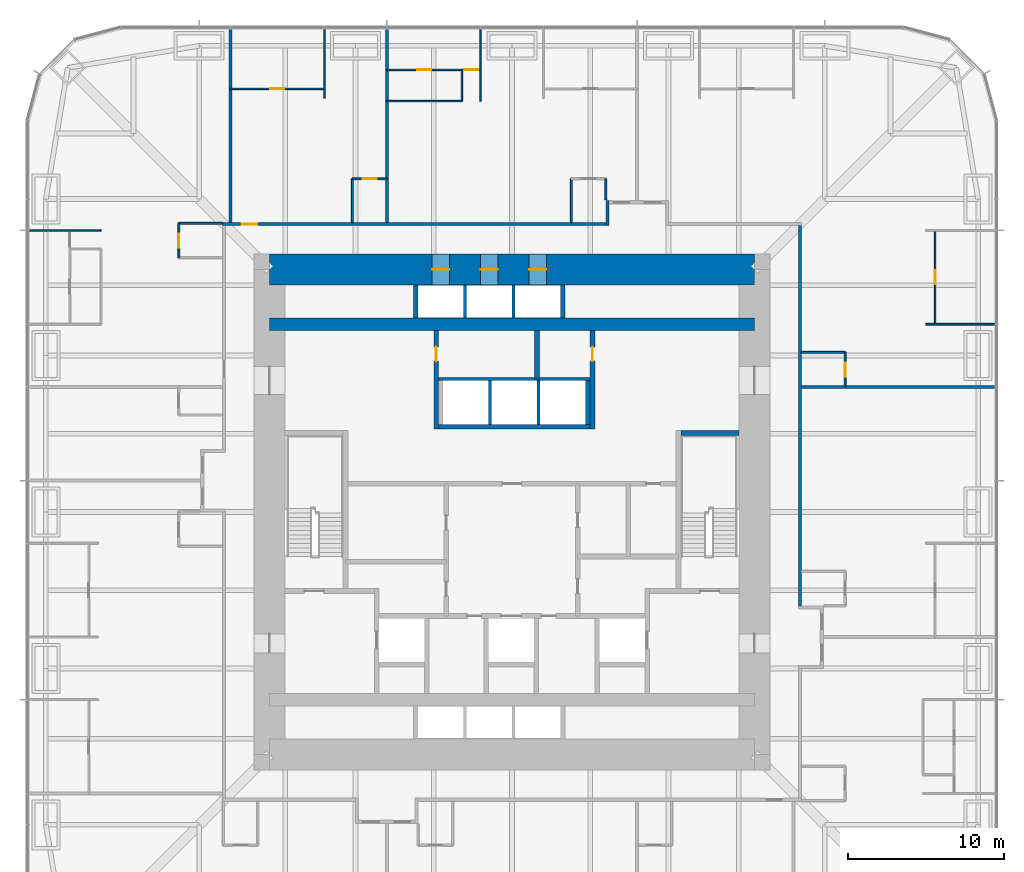
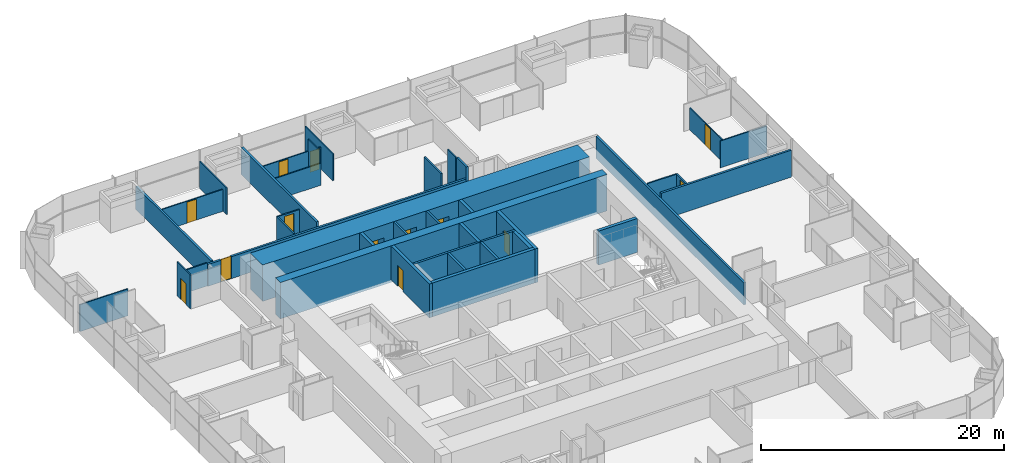
# One storey, part 15 of 17: 38 walls, 13 doors, 13 openings.
"""IFC4 building model written with IfcOpenShell, lengths in metres."""

from ifc_helpers import new_model, si_unit, direction, frame, frame_2d, origin, place, context, subcontext, project, spatial, rectangle, extrude, material, layer, layer_set, type_object, element, fill, save


model = new_model("IFC4")

# Units and contexts
model_context = context("Model", 3, precision=1e-05, world=origin(), true_north=direction((0.0, 1.0)))
body_context = subcontext(model_context, "Body", "Model", "MODEL_VIEW")
ifc_project = project(units=[si_unit("LENGTHUNIT", "METRE"), si_unit("AREAUNIT", "SQUARE_METRE"), si_unit("VOLUMEUNIT", "CUBIC_METRE"), si_unit("PLANEANGLEUNIT", "RADIAN"), si_unit("MASSUNIT", "GRAM", prefix="KILO")], contexts=[model_context])

# Site, building, storey
site_placement = place(None, origin())
site = spatial("IfcSite", under=ifc_project, at=site_placement, CompositionType="ELEMENT")
building_placement = place(site_placement, origin())
building = spatial("IfcBuilding", under=site, at=building_placement, Name="Khuree Lantern Residences", CompositionType="ELEMENT")
storey_placement = place(building_placement, frame((0.0, 0.0, 96.0)))
storey = spatial("IfcBuildingStorey", under=building, at=storey_placement, Name="L24", CompositionType="ELEMENT", Elevation=96.0)

# Wall, opening, door
ifc_material_1 = material(Name="Moisture-resistant gypsum board on steel studs", Category="steel")
ifc_layer_1 = layer(ifc_material_1, 0.125)
ifc_layer_set_1 = layer_set([ifc_layer_1], Name="BATHROOM WALL BTW125")
wall_type_1 = type_object("IfcWallType", Name="BATHROOM WALL BTW125", PredefinedType="PARTITIONING", material=ifc_layer_set_1)
wall_1_placement = place(storey_placement, frame((21.300048828125, 8.0, 0.0), z_axis=(0.0, 0.0, 1.0), x_axis=(0.0, 1.0, 0.0)))
wall_1 = element("IfcWall", 1, at=wall_1_placement, inside=storey, type_object=wall_type_1, Name="L24 BATHROOM WALL 02", PredefinedType="PARTITIONING", context=body_context, shape_type="SweptSolid", body=[
    extrude(rectangle(XDim=2.199951171875, YDim=0.125, at=frame_2d((1.10009765625, 0.0))), origin(), (0.0, 0.0, 1.0), 2.300048828125),
])
opening_1_placement = place(wall_1_placement, frame((0.64990234375, 0.0, 0.0)))
opening_1 = element("IfcOpeningElement", 2, at=opening_1_placement, cuts=wall_1, Name="Opening 24-028", PredefinedType="OPENING", context=body_context, shape_type="SweptSolid", body=[
    extrude(rectangle(XDim=0.89990234375, YDim=2.10009765625, at=frame_2d((0.449951171875, 1.050048828125))), frame((0.0, 0.072509765625, 0.0), z_axis=(0.0, -1.0, 0.0), x_axis=(1.0, 0.0, 0.0)), (0.0, 0.0, 1.0), 0.14501953125),
])
ifc_material_2 = material(Name="Timber door leaf in hardwood frame", Category="wood")
door_type_1 = type_object("IfcDoorType", Name="BATHROOM DOOR 900X2100", OperationType="SINGLE_SWING_LEFT", PredefinedType="DOOR", material=ifc_material_2)
door_1_placement = place(opening_1_placement, origin())
door_1 = element("IfcDoor", 3, at=door_1_placement, inside=storey, type_object=door_type_1, Name="Bathroom door 24-028", OperationType="SINGLE_SWING_LEFT", OverallHeight=2.10009765625, OverallWidth=0.89990234375, PredefinedType="DOOR", context=body_context, shape_type="SweptSolid", body=[
    extrude(rectangle(XDim=0.89990234375, YDim=2.10009765625, at=frame_2d((0.449951171875, 1.050048828125))), frame((0.0, 0.02490234375, 0.0), z_axis=(0.0, -1.0, 0.0), x_axis=(1.0, 0.0, 0.0)), (0.0, 0.0, 1.0), 0.050048828125),
])
fill(opening_1, door_1)

# Walls
wall_2_placement = place(storey_placement, frame((18.5, 10.199951171875, 0.0), z_axis=(0.0, 0.0, 1.0), x_axis=(1.0, 0.0, 0.0)))
element("IfcWall", 4, at=wall_2_placement, inside=storey, type_object=wall_type_1, Name="L24 BATHROOM WALL 02", PredefinedType="PARTITIONING", context=body_context, shape_type="SweptSolid", body=[
    extrude(rectangle(XDim=2.800048828125, YDim=0.125, at=frame_2d((1.39990234375, 0.0))), origin(), (0.0, 0.0, 1.0), 2.300048828125),
])
wall_3_placement = place(storey_placement, frame((6.0, 19.969970703125, 0.0), z_axis=(0.0, 0.0, 1.0), x_axis=(0.0, 1.0, 0.0)))
element("IfcWall", 5, at=wall_3_placement, inside=storey, type_object=wall_type_1, Name="L24 BATHROOM WALL 03", PredefinedType="PARTITIONING", context=body_context, shape_type="SweptSolid", body=[
    extrude(rectangle(XDim=1.330078125, YDim=0.125, at=frame_2d((0.6650390625, 0.0))), origin(), (0.0, 0.0, 1.0), 3.39990234375),
])
wall_4_placement = place(storey_placement, frame((3.800048828125, 18.5, 0.0), z_axis=(0.0, 0.0, 1.0), x_axis=(0.0, 1.0, 0.0)))
element("IfcWall", 6, at=wall_4_placement, inside=storey, type_object=wall_type_1, Name="L24 BATHROOM WALL 03", PredefinedType="PARTITIONING", context=body_context, shape_type="SweptSolid", body=[
    extrude(rectangle(XDim=2.800048828125, YDim=0.125, at=frame_2d((1.39990234375, 0.0))), origin(), (0.0, 0.0, 1.0), 3.39990234375),
])

# Wall, opening, door
wall_5_placement = place(storey_placement, frame((-8.0, 21.300048828125, 0.0), z_axis=(0.0, 0.0, 1.0), x_axis=(-1.0, 0.0, 0.0)))
wall_5 = element("IfcWall", 7, at=wall_5_placement, inside=storey, type_object=wall_type_1, Name="L24 BATHROOM WALL 04", PredefinedType="PARTITIONING", context=body_context, shape_type="SweptSolid", body=[
    extrude(rectangle(XDim=2.199951171875, YDim=0.125, at=frame_2d((1.10009765625, 0.0))), origin(), (0.0, 0.0, 1.0), 2.300048828125),
])
opening_2_placement = place(wall_5_placement, frame((0.64990234375, 0.0, 0.0)))
opening_2 = element("IfcOpeningElement", 8, at=opening_2_placement, cuts=wall_5, Name="Opening 24-036", PredefinedType="OPENING", context=body_context, shape_type="SweptSolid", body=[
    extrude(rectangle(XDim=0.89990234375, YDim=2.10009765625, at=frame_2d((0.449951171875, 1.050048828125))), frame((0.0, 0.072509765625, 0.0), z_axis=(0.0, -1.0, 0.0), x_axis=(1.0, 0.0, 0.0)), (0.0, 0.0, 1.0), 0.14501953125),
])
door_2_placement = place(opening_2_placement, origin())
door_2 = element("IfcDoor", 9, at=door_2_placement, inside=storey, type_object=door_type_1, Name="Bathroom door 24-036", OperationType="SINGLE_SWING_LEFT", OverallHeight=2.10009765625, OverallWidth=0.89990234375, PredefinedType="DOOR", context=body_context, shape_type="SweptSolid", body=[
    extrude(rectangle(XDim=0.89990234375, YDim=2.10009765625, at=frame_2d((0.449951171875, 1.050048828125))), frame((0.0, 0.02490234375, 0.0), z_axis=(0.0, -1.0, 0.0), x_axis=(1.0, 0.0, 0.0)), (0.0, 0.0, 1.0), 0.050048828125),
])
fill(opening_2, door_2)

# Wall
wall_6_placement = place(storey_placement, frame((-10.199951171875, 18.5, 0.0), z_axis=(0.0, 0.0, 1.0), x_axis=(0.0, 1.0, 0.0)))
element("IfcWall", 10, at=wall_6_placement, inside=storey, type_object=wall_type_1, Name="L24 BATHROOM WALL 04", PredefinedType="PARTITIONING", context=body_context, shape_type="SweptSolid", body=[
    extrude(rectangle(XDim=2.800048828125, YDim=0.125, at=frame_2d((1.39990234375, 0.0))), origin(), (0.0, 0.0, 1.0), 2.300048828125),
])

# Wall, opening, door
wall_7_placement = place(storey_placement, frame((-21.300048828125, 18.449951171875, 0.0), z_axis=(0.0, 0.0, 1.0), x_axis=(0.0, -1.0, 0.0)))
wall_7 = element("IfcWall", 11, at=wall_7_placement, inside=storey, type_object=wall_type_1, Name="L24 BATHROOM WALL 05", PredefinedType="PARTITIONING", context=body_context, shape_type="SweptSolid", body=[
    extrude(rectangle(XDim=2.199951171875, YDim=0.125, at=frame_2d((1.10009765625, 0.0))), origin(), (0.0, 0.0, 1.0), 3.39990234375),
])
opening_3_placement = place(wall_7_placement, frame((0.64990234375, 0.0, 0.0)))
opening_3 = element("IfcOpeningElement", 12, at=opening_3_placement, cuts=wall_7, Name="Opening 24-040", PredefinedType="OPENING", context=body_context, shape_type="SweptSolid", body=[
    extrude(rectangle(XDim=0.89990234375, YDim=2.10009765625, at=frame_2d((0.449951171875, 1.050048828125))), frame((0.0, 0.072509765625, 0.0), z_axis=(0.0, -1.0, 0.0), x_axis=(1.0, 0.0, 0.0)), (0.0, 0.0, 1.0), 0.14501953125),
])
door_3_placement = place(opening_3_placement, origin())
door_3 = element("IfcDoor", 13, at=door_3_placement, inside=storey, type_object=door_type_1, Name="Bathroom door 24-040", OperationType="SINGLE_SWING_LEFT", OverallHeight=2.10009765625, OverallWidth=0.89990234375, PredefinedType="DOOR", context=body_context, shape_type="SweptSolid", body=[
    extrude(rectangle(XDim=0.89990234375, YDim=2.10009765625, at=frame_2d((0.449951171875, 1.050048828125))), frame((0.0, 0.02490234375, 0.0), z_axis=(0.0, -1.0, 0.0), x_axis=(1.0, 0.0, 0.0)), (0.0, 0.0, 1.0), 0.050048828125),
])
fill(opening_3, door_3)

# Walls
wall_8_placement = place(storey_placement, frame((-18.5, 18.449951171875, 0.0), z_axis=(0.0, 0.0, 1.0), x_axis=(-1.0, 0.0, 0.0)))
element("IfcWall", 14, at=wall_8_placement, inside=storey, type_object=wall_type_1, Name="L24 BATHROOM WALL 05", PredefinedType="PARTITIONING", context=body_context, shape_type="SweptSolid", body=[
    extrude(rectangle(XDim=2.800048828125, YDim=0.125, at=frame_2d((1.39990234375, 0.0))), origin(), (0.0, 0.0, 1.0), 2.300048828125),
])
ifc_material_3 = material(Name="Dense concrete blockwork", Category="masonry")
ifc_layer_2 = layer(ifc_material_3, 0.300048828125)
ifc_layer_set_2 = layer_set([ifc_layer_2], Name="CORE PARTITION WALL CPW300 EI 120")
wall_type_2 = type_object("IfcWallType", Name="CORE PARTITION WALL CPW300 EI 120", PredefinedType="PARTITIONING", material=ifc_layer_set_2)
wall_9_placement = place(storey_placement, frame((-4.699951171875, 5.449951171875, 0.0), z_axis=(0.0, 0.0, 1.0), x_axis=(1.0, 0.0, 0.0)))
element("IfcWall", 15, at=wall_9_placement, inside=storey, type_object=wall_type_2, Name="L24 CORE WALL PHS", PredefinedType="PARTITIONING", context=body_context, shape_type="SweptSolid", body=[
    extrude(rectangle(XDim=9.699951171875, YDim=0.300048828125, at=frame_2d((4.85009765625, 0.0))), origin(), (0.0, 0.0, 1.0), 3.39990234375),
])
wall_10_placement = place(storey_placement, frame((4.85009765625, 5.60009765625, 0.0), z_axis=(0.0, 0.0, 1.0), x_axis=(0.0, 1.0, 0.0)))
element("IfcWall", 16, at=wall_10_placement, inside=storey, type_object=wall_type_2, Name="L24 CORE WALL PHE", PredefinedType="PARTITIONING", context=body_context, shape_type="SweptSolid", body=[
    extrude(rectangle(XDim=2.7998046875, YDim=0.300048828125, at=frame_2d((1.39990234375, 0.0))), origin(), (0.0, 0.0, 1.0), 3.39990234375),
])
for number, where, z_axis, x_axis, name in (
    (17, (-6.14990234375, 12.39990234375, 0.0), (0.0, 0.0, 1.0), (0.0, 1.0, 0.0), "L24 CORE WALL PLW"),
    (18, (3.25, 12.39990234375, 0.0), (0.0, 0.0, 1.0), (0.0, 1.0, 0.0), "L24 CORE WALL PLE"),
):
    element("IfcWall", number, at=place(storey_placement, frame(where, z_axis=z_axis, x_axis=x_axis)), inside=storey, type_object=wall_type_2, Name=name, PredefinedType="PARTITIONING", context=body_context, shape_type="SweptSolid", body=[
        extrude(rectangle(XDim=2.10009765625, YDim=0.300048828125, at=frame_2d((1.050048828125, 0.0))), origin(), (0.0, 0.0, 1.0), 3.39990234375),
    ])

# Wall, opening, door
wall_11_placement = place(storey_placement, frame((-4.85009765625, 5.300048828125, 0.0), z_axis=(0.0, 0.0, 1.0), x_axis=(0.0, 1.0, 0.0)))
wall_11 = element("IfcWall", 19, at=wall_11_placement, inside=storey, type_object=wall_type_2, Name="L24 CORE WALL NW", PredefinedType="PARTITIONING", context=body_context, shape_type="SweptSolid", body=[
    extrude(rectangle(XDim=6.300048828125, YDim=0.300048828125, at=frame_2d((3.14990234375, 0.0))), origin(), (0.0, 0.0, 1.0), 3.39990234375),
])
opening_4_placement = place(wall_11_placement, frame((4.35009765625, 0.0, 0.0)))
opening_4 = element("IfcOpeningElement", 20, at=opening_4_placement, cuts=wall_11, Name="Opening 24-021", PredefinedType="OPENING", context=body_context, shape_type="SweptSolid", body=[
    extrude(rectangle(XDim=0.89990234375, YDim=2.10009765625, at=frame_2d((0.449951171875, 1.050048828125))), frame((0.0, 0.16015625, 0.0), z_axis=(0.0, -1.0, 0.0), x_axis=(1.0, 0.0, 0.0)), (0.0, 0.0, 1.0), 0.320068359375),
])
door_type_2 = type_object("IfcDoorType", Name="DOOR 900X2100 RIGHT HAND", OperationType="SINGLE_SWING_RIGHT", PredefinedType="DOOR", material=ifc_material_2)
door_4_placement = place(opening_4_placement, origin())
door_4 = element("IfcDoor", 21, at=door_4_placement, inside=storey, type_object=door_type_2, Name="Bulky waste store door 24-021", OperationType="SINGLE_SWING_RIGHT", OverallHeight=2.10009765625, OverallWidth=0.89990234375, PredefinedType="DOOR", context=body_context, shape_type="SweptSolid", body=[
    extrude(rectangle(XDim=0.89990234375, YDim=2.10009765625, at=frame_2d((0.449951171875, 1.050048828125))), frame((0.0, 0.02490234375, 0.0), z_axis=(0.0, -1.0, 0.0), x_axis=(1.0, 0.0, 0.0)), (0.0, 0.0, 1.0), 0.050048828125),
])
fill(opening_4, door_4)

wall_12_placement = place(storey_placement, frame((5.14990234375, 5.300048828125, 0.0), z_axis=(0.0, 0.0, 1.0), x_axis=(0.0, 1.0, 0.0)))
wall_12 = element("IfcWall", 22, at=wall_12_placement, inside=storey, type_object=wall_type_2, Name="L24 CORE WALL NE", PredefinedType="PARTITIONING", context=body_context, shape_type="SweptSolid", body=[
    extrude(rectangle(XDim=6.300048828125, YDim=0.300048828125, at=frame_2d((3.14990234375, 0.0))), origin(), (0.0, 0.0, 1.0), 3.39990234375),
])
opening_5_placement = place(wall_12_placement, frame((4.35009765625, 0.0, 0.0)))
opening_5 = element("IfcOpeningElement", 23, at=opening_5_placement, cuts=wall_12, Name="Opening 24-022", PredefinedType="OPENING", context=body_context, shape_type="SweptSolid", body=[
    extrude(rectangle(XDim=0.89990234375, YDim=2.10009765625, at=frame_2d((0.449951171875, 1.050048828125))), frame((0.0, 0.16015625, 0.0), z_axis=(0.0, -1.0, 0.0), x_axis=(1.0, 0.0, 0.0)), (0.0, 0.0, 1.0), 0.320068359375),
])
door_type_3 = type_object("IfcDoorType", Name="DOOR 900X2100", OperationType="SINGLE_SWING_LEFT", PredefinedType="DOOR", material=ifc_material_2)
door_5_placement = place(opening_5_placement, origin())
door_5 = element("IfcDoor", 24, at=door_5_placement, inside=storey, type_object=door_type_3, Name="Comms room door 24-022", OperationType="SINGLE_SWING_LEFT", OverallHeight=2.10009765625, OverallWidth=0.89990234375, PredefinedType="DOOR", context=body_context, shape_type="SweptSolid", body=[
    extrude(rectangle(XDim=0.89990234375, YDim=2.10009765625, at=frame_2d((0.449951171875, 1.050048828125))), frame((0.0, 0.02490234375, 0.0), z_axis=(0.0, -1.0, 0.0), x_axis=(1.0, 0.0, 0.0)), (0.0, 0.0, 1.0), 0.050048828125),
])
fill(opening_5, door_5)

# Walls
wall_13_placement = place(storey_placement, frame((1.60009765625, 8.5, 0.0), z_axis=(0.0, 0.0, 1.0), x_axis=(0.0, 1.0, 0.0)))
element("IfcWall", 25, at=wall_13_placement, inside=storey, type_object=wall_type_2, Name="L24 CORE WALL NX", PredefinedType="PARTITIONING", context=body_context, shape_type="SweptSolid", body=[
    extrude(rectangle(XDim=3.10009765625, YDim=0.300048828125, at=frame_2d((1.550048828125, 0.0))), origin(), (0.0, 0.0, 1.0), 3.39990234375),
])
ifc_material_4 = material(Name="Gypsum board on steel studs", Category="steel")
ifc_layer_3 = layer(ifc_material_4, 0.199951171875)
ifc_layer_set_3 = layer_set([ifc_layer_3], Name="CORRIDOR WALL CRW200 EI 60")
wall_type_3 = type_object("IfcWallType", Name="CORRIDOR WALL CRW200 EI 60", PredefinedType="PARTITIONING", material=ifc_layer_set_3)
wall_14_placement = place(storey_placement, frame((18.39990234375, -6.0, 0.0), z_axis=(0.0, 0.0, 1.0), x_axis=(0.0, 1.0, 0.0)))
element("IfcWall", 26, at=wall_14_placement, inside=storey, type_object=wall_type_3, Name="L24 CORRIDOR WALL EAST 2", PredefinedType="PARTITIONING", context=body_context, shape_type="SweptSolid", body=[
    extrude(rectangle(XDim=24.300048828125, YDim=0.199951171875, at=frame_2d((12.14990234375, 0.0))), origin(), (0.0, 0.0, 1.0), 2.199951171875),
])

# Wall, opening, door
wall_15_placement = place(storey_placement, frame((-18.5, 18.39990234375, 0.0), z_axis=(0.0, 0.0, 1.0), x_axis=(1.0, 0.0, 0.0)))
wall_15 = element("IfcWall", 27, at=wall_15_placement, inside=storey, type_object=wall_type_3, Name="L24 CORRIDOR WALL NORTH 1", PredefinedType="PARTITIONING", context=body_context, shape_type="SweptSolid", body=[
    extrude(rectangle(XDim=24.5, YDim=0.199951171875, at=frame_2d((12.25, 0.0))), origin(), (0.0, 0.0, 1.0), 2.199951171875),
])
opening_6_placement = place(wall_15_placement, frame((1.22998046875, 0.0, 0.0)))
opening_6 = element("IfcOpeningElement", 28, at=opening_6_placement, cuts=wall_15, Name="Opening 24-037", PredefinedType="OPENING", context=body_context, shape_type="SweptSolid", body=[
    extrude(rectangle(XDim=1.0, YDim=2.199951171875, at=frame_2d((0.5, 1.10009765625))), frame((0.0, 0.10986328125, 0.0), z_axis=(0.0, -1.0, 0.0), x_axis=(1.0, 0.0, 0.0)), (0.0, 0.0, 1.0), 0.219970703125),
])
door_type_4 = type_object("IfcDoorType", Name="APARTMENT ENTRANCE DOOR 1000X2200 EI 30S", OperationType="SINGLE_SWING_LEFT", PredefinedType="DOOR", material=ifc_material_2)
door_6_placement = place(opening_6_placement, origin())
door_6 = element("IfcDoor", 29, at=door_6_placement, inside=storey, type_object=door_type_4, Name="Apartment 04 entrance door 24-037", OperationType="SINGLE_SWING_LEFT", OverallHeight=2.199951171875, OverallWidth=1.0, PredefinedType="DOOR", context=body_context, shape_type="SweptSolid", body=[
    extrude(rectangle(XDim=1.0, YDim=2.199951171875, at=frame_2d((0.5, 1.10009765625))), frame((0.0, 0.02490234375, 0.0), z_axis=(0.0, -1.0, 0.0), x_axis=(1.0, 0.0, 0.0)), (0.0, 0.0, 1.0), 0.050048828125),
])
fill(opening_6, door_6)

# Wall
wall_16_placement = place(storey_placement, frame((6.10009765625, 18.300048828125, 0.0), z_axis=(0.0, 0.0, 1.0), x_axis=(0.0, 1.0, 0.0)))
element("IfcWall", 30, at=wall_16_placement, inside=storey, type_object=wall_type_3, Name="L24 CORRIDOR ALCOVE WALL NORTH", PredefinedType="PARTITIONING", context=body_context, shape_type="SweptSolid", body=[
    extrude(rectangle(XDim=1.599853515625, YDim=0.199951171875, at=frame_2d((0.7998046875, 0.0))), origin(), (0.0, 0.0, 1.0), 3.39990234375),
])

# Wall, openings, doors
ifc_material_5 = material(Name="Concrete C70/85", Category="concrete")
ifc_layer_4 = layer(ifc_material_5, 2.0)
ifc_layer_set_4 = layer_set([ifc_layer_4], Name="CW2000-C70 CORE WALL C70 2000")
wall_type_4 = type_object("IfcWallType", Name="CW2000-C70 CORE WALL C70 2000", PredefinedType="SHEAR", material=ifc_layer_set_4)
wall_17_placement = place(storey_placement, frame((-15.5, 15.5, -0.25), z_axis=(0.0, 0.0, 1.0), x_axis=(1.0, 0.0, 0.0)))
wall_17 = element("IfcWall", 31, at=wall_17_placement, inside=storey, type_object=wall_type_4, Name="Core wall N", PredefinedType="SHEAR", context=body_context, shape_type="SweptSolid", body=[
    extrude(rectangle(XDim=31.0, YDim=2.0, at=frame_2d((15.5, 0.0))), origin(), (0.0, 0.0, 1.0), 3.64990234375),
])
opening_7_placement = place(wall_17_placement, frame((10.39990234375, 0.0, 0.25)))
opening_7 = element("IfcOpeningElement", 32, at=opening_7_placement, cuts=wall_17, Name="Opening 24-009", PredefinedType="OPENING", context=body_context, shape_type="SweptSolid", body=[
    extrude(rectangle(XDim=1.10009765625, YDim=2.10009765625, at=frame_2d((0.550048828125, 1.050048828125))), frame((0.0, 1.010009765625, 0.0), z_axis=(0.0, -1.0, 0.0), x_axis=(1.0, 0.0, 0.0)), (0.0, 0.0, 1.0), 2.02001953125),
])
opening_8_placement = place(wall_17_placement, frame((13.5, 0.0, 0.25)))
opening_8 = element("IfcOpeningElement", 33, at=opening_8_placement, cuts=wall_17, Name="Opening 24-010", PredefinedType="OPENING", context=body_context, shape_type="SweptSolid", body=[
    extrude(rectangle(XDim=1.10009765625, YDim=2.10009765625, at=frame_2d((0.550048828125, 1.050048828125))), frame((0.0, 1.010009765625, 0.0), z_axis=(0.0, -1.0, 0.0), x_axis=(1.0, 0.0, 0.0)), (0.0, 0.0, 1.0), 2.02001953125),
])
opening_9_placement = place(wall_17_placement, frame((16.60009765625, 0.0, 0.25)))
opening_9 = element("IfcOpeningElement", 34, at=opening_9_placement, cuts=wall_17, Name="Opening 24-011", PredefinedType="OPENING", context=body_context, shape_type="SweptSolid", body=[
    extrude(rectangle(XDim=1.10009765625, YDim=2.10009765625, at=frame_2d((0.550048828125, 1.050048828125))), frame((0.0, 1.010009765625, 0.0), z_axis=(0.0, -1.0, 0.0), x_axis=(1.0, 0.0, 0.0)), (0.0, 0.0, 1.0), 2.02001953125),
])
ifc_material_6 = material(Name="Stainless steel lift landing door", Category="steel")
door_type_5 = type_object("IfcDoorType", Name="LIFT LANDING DOOR 1100X2100 E 60", OperationType="DOUBLE_DOOR_SLIDING", PredefinedType="DOOR", material=ifc_material_6)
door_7_placement = place(opening_7_placement, origin())
door_7 = element("IfcDoor", 35, at=door_7_placement, inside=storey, type_object=door_type_5, Name="Landing door PL1 24-009", OperationType="DOUBLE_DOOR_SLIDING", OverallHeight=2.10009765625, OverallWidth=1.10009765625, PredefinedType="DOOR", context=body_context, shape_type="SweptSolid", body=[
    extrude(rectangle(XDim=1.10009765625, YDim=2.10009765625, at=frame_2d((0.550048828125, 1.050048828125))), frame((0.0, 0.02490234375, 0.0), z_axis=(0.0, -1.0, 0.0), x_axis=(1.0, 0.0, 0.0)), (0.0, 0.0, 1.0), 0.050048828125),
])
fill(opening_7, door_7)
door_8_placement = place(opening_8_placement, origin())
door_8 = element("IfcDoor", 36, at=door_8_placement, inside=storey, type_object=door_type_5, Name="Landing door PL2 24-010", OperationType="DOUBLE_DOOR_SLIDING", OverallHeight=2.10009765625, OverallWidth=1.10009765625, PredefinedType="DOOR", context=body_context, shape_type="SweptSolid", body=[
    extrude(rectangle(XDim=1.10009765625, YDim=2.10009765625, at=frame_2d((0.550048828125, 1.050048828125))), frame((0.0, 0.02490234375, 0.0), z_axis=(0.0, -1.0, 0.0), x_axis=(1.0, 0.0, 0.0)), (0.0, 0.0, 1.0), 0.050048828125),
])
fill(opening_8, door_8)
door_9_placement = place(opening_9_placement, origin())
door_9 = element("IfcDoor", 37, at=door_9_placement, inside=storey, type_object=door_type_5, Name="Landing door PL3 24-011", OperationType="DOUBLE_DOOR_SLIDING", OverallHeight=2.10009765625, OverallWidth=1.10009765625, PredefinedType="DOOR", context=body_context, shape_type="SweptSolid", body=[
    extrude(rectangle(XDim=1.10009765625, YDim=2.10009765625, at=frame_2d((0.550048828125, 1.050048828125))), frame((0.0, 0.02490234375, 0.0), z_axis=(0.0, -1.0, 0.0), x_axis=(1.0, 0.0, 0.0)), (0.0, 0.0, 1.0), 0.050048828125),
])
fill(opening_9, door_9)

# Walls
ifc_layer_5 = layer(ifc_material_4, 0.199951171875)
ifc_layer_set_5 = layer_set([ifc_layer_5], Name="DEMISING WALL DMW200 EI 90")
wall_type_5 = type_object("IfcWallType", Name="DEMISING WALL DMW200 EI 90", PredefinedType="PARTITIONING", material=ifc_layer_set_5)
for number, where, z_axis, x_axis, name in (
    (38, (18.5, 8.0, 0.0), (0.0, 0.0, 1.0), (1.0, 0.0, 0.0), "L24 DEMISING WALL 02"),
    (39, (-8.0, 18.5, 0.0), (0.0, 0.0, 1.0), (0.0, 1.0, 0.0), "L24 DEMISING WALL 04"),
):
    element("IfcWall", number, at=place(storey_placement, frame(where, z_axis=z_axis, x_axis=x_axis)), inside=storey, type_object=wall_type_5, Name=name, PredefinedType="PARTITIONING", context=body_context, shape_type="SweptSolid", body=[
        extrude(rectangle(XDim=12.35009765625, YDim=0.199951171875, at=frame_2d((6.175048828125, 0.0))), origin(), (0.0, 0.0, 1.0), 2.699951171875),
    ])
wall_18_placement = place(storey_placement, frame((-18.0, 18.5, 0.0), z_axis=(0.0, 0.0, 1.0), x_axis=(0.0, 1.0, 0.0)))
element("IfcWall", 40, at=wall_18_placement, inside=storey, type_object=wall_type_5, Name="L24 DEMISING WALL 05", PredefinedType="PARTITIONING", context=body_context, shape_type="SweptSolid", body=[
    extrude(rectangle(XDim=12.35009765625, YDim=0.199951171875, at=frame_2d((6.175048828125, 0.0))), origin(), (0.0, 0.0, 1.0), 2.300048828125),
])
ifc_layer_6 = layer(ifc_material_4, 0.10009765625)
ifc_layer_set_6 = layer_set([ifc_layer_6], Name="PARTITION PT100")
wall_type_6 = type_object("IfcWallType", Name="PARTITION PT100", PredefinedType="PARTITIONING", material=ifc_layer_set_6)
wall_19_placement = place(storey_placement, frame((26.449951171875, 12.0, 0.0), z_axis=(0.0, 0.0, 1.0), x_axis=(1.0, 0.0, 0.0)))
element("IfcWall", 41, at=wall_19_placement, inside=storey, type_object=wall_type_6, Name="L24 PARTITION 02", PredefinedType="PARTITIONING", context=body_context, shape_type="SweptSolid", body=[
    extrude(rectangle(XDim=4.400146484375, YDim=0.10009765625, at=frame_2d((2.2001953125, 0.0))), origin(), (0.0, 0.0, 1.0), 2.699951171875),
])
wall_20_placement = place(storey_placement, frame((-2.0, 26.2666015625, 0.0), z_axis=(0.0, 0.0, 1.0), x_axis=(0.0, 1.0, 0.0)))
element("IfcWall", 42, at=wall_20_placement, inside=storey, type_object=wall_type_6, Name="L24 PARTITION 03", PredefinedType="PARTITIONING", context=body_context, shape_type="SweptSolid", body=[
    extrude(rectangle(XDim=4.58349609375, YDim=0.10009765625, at=frame_2d((2.291748046875, 0.0))), origin(), (0.0, 0.0, 1.0), 2.699951171875),
])
wall_21_placement = place(storey_placement, frame((-12.0, 26.449951171875, 0.0), z_axis=(0.0, 0.0, 1.0), x_axis=(0.0, 1.0, 0.0)))
element("IfcWall", 43, at=wall_21_placement, inside=storey, type_object=wall_type_6, Name="L24 PARTITION 04", PredefinedType="PARTITIONING", context=body_context, shape_type="SweptSolid", body=[
    extrude(rectangle(XDim=4.400146484375, YDim=0.10009765625, at=frame_2d((2.2001953125, 0.0))), origin(), (0.0, 0.0, 1.0), 2.699951171875),
])
wall_22_placement = place(storey_placement, frame((-26.2666015625, 18.0, 0.0), z_axis=(0.0, 0.0, 1.0), x_axis=(-1.0, 0.0, 0.0)))
element("IfcWall", 44, at=wall_22_placement, inside=storey, type_object=wall_type_6, Name="L24 PARTITION 05", PredefinedType="PARTITIONING", context=body_context, shape_type="SweptSolid", body=[
    extrude(rectangle(XDim=4.58349609375, YDim=0.10009765625, at=frame_2d((2.291748046875, 0.0))), origin(), (0.0, 0.0, 1.0), 2.699951171875),
])

# Wall, opening, door
wall_23_placement = place(storey_placement, frame((27.050048828125, 12.0, 0.0), z_axis=(0.0, 0.0, 1.0), x_axis=(0.0, 1.0, 0.0)))
wall_23 = element("IfcWall", 45, at=wall_23_placement, inside=storey, type_object=wall_type_6, Name="L24 PARTITION 02", PredefinedType="PARTITIONING", context=body_context, shape_type="SweptSolid", body=[
    extrude(rectangle(XDim=6.0, YDim=0.10009765625, at=frame_2d((3.0, 0.0))), origin(), (0.0, 0.0, 1.0), 2.199951171875),
])
opening_10_placement = place(wall_23_placement, frame((2.550048828125, 0.0, 0.0)))
opening_10 = element("IfcOpeningElement", 46, at=opening_10_placement, cuts=wall_23, Name="Opening 24-026", PredefinedType="OPENING", context=body_context, shape_type="SweptSolid", body=[
    extrude(rectangle(XDim=0.89990234375, YDim=2.10009765625, at=frame_2d((0.449951171875, 1.050048828125))), frame((0.0, 0.06005859375, 0.0), z_axis=(0.0, -1.0, 0.0), x_axis=(1.0, 0.0, 0.0)), (0.0, 0.0, 1.0), 0.1201171875),
])
door_type_6 = type_object("IfcDoorType", Name="BEDROOM DOOR 900X2100", OperationType="SINGLE_SWING_LEFT", PredefinedType="DOOR", material=ifc_material_2)
door_10_placement = place(opening_10_placement, origin())
door_10 = element("IfcDoor", 47, at=door_10_placement, inside=storey, type_object=door_type_6, Name="Bedroom door 24-026", OperationType="SINGLE_SWING_LEFT", OverallHeight=2.10009765625, OverallWidth=0.89990234375, PredefinedType="DOOR", context=body_context, shape_type="SweptSolid", body=[
    extrude(rectangle(XDim=0.89990234375, YDim=2.10009765625, at=frame_2d((0.449951171875, 1.050048828125))), frame((0.0, 0.02490234375, 0.0), z_axis=(0.0, -1.0, 0.0), x_axis=(1.0, 0.0, 0.0)), (0.0, 0.0, 1.0), 0.050048828125),
])
fill(opening_10, door_10)

# Wall, openings, doors
wall_24_placement = place(storey_placement, frame((-2.0, 28.2666015625, 0.0), z_axis=(0.0, 0.0, 1.0), x_axis=(-1.0, 0.0, 0.0)))
wall_24 = element("IfcWall", 48, at=wall_24_placement, inside=storey, type_object=wall_type_6, Name="L24 PARTITION 03", PredefinedType="PARTITIONING", context=body_context, shape_type="SweptSolid", body=[
    extrude(rectangle(XDim=6.0, YDim=0.10009765625, at=frame_2d((3.0, 0.0))), origin(), (0.0, 0.0, 1.0), 2.199951171875),
])
opening_11_placement = place(wall_24_placement, frame((0.14990234375, 0.0, 0.0)))
opening_11 = element("IfcOpeningElement", 49, at=opening_11_placement, cuts=wall_24, Name="Opening 24-031", PredefinedType="OPENING", context=body_context, shape_type="SweptSolid", body=[
    extrude(rectangle(XDim=0.89990234375, YDim=2.10009765625, at=frame_2d((0.449951171875, 1.050048828125))), frame((0.0, 0.06005859375, 0.0), z_axis=(0.0, -1.0, 0.0), x_axis=(1.0, 0.0, 0.0)), (0.0, 0.0, 1.0), 0.1201171875),
])
opening_12_placement = place(wall_24_placement, frame((3.14990234375, 0.0, 0.0)))
opening_12 = element("IfcOpeningElement", 50, at=opening_12_placement, cuts=wall_24, Name="Opening 24-032", PredefinedType="OPENING", context=body_context, shape_type="SweptSolid", body=[
    extrude(rectangle(XDim=0.89990234375, YDim=2.10009765625, at=frame_2d((0.449951171875, 1.050048828125))), frame((0.0, 0.06005859375, 0.0), z_axis=(0.0, -1.0, 0.0), x_axis=(1.0, 0.0, 0.0)), (0.0, 0.0, 1.0), 0.1201171875),
])
door_11_placement = place(opening_11_placement, origin())
door_11 = element("IfcDoor", 51, at=door_11_placement, inside=storey, type_object=door_type_6, Name="Bedroom door 24-031", OperationType="SINGLE_SWING_LEFT", OverallHeight=2.10009765625, OverallWidth=0.89990234375, PredefinedType="DOOR", context=body_context, shape_type="SweptSolid", body=[
    extrude(rectangle(XDim=0.89990234375, YDim=2.10009765625, at=frame_2d((0.449951171875, 1.050048828125))), frame((0.0, 0.02490234375, 0.0), z_axis=(0.0, -1.0, 0.0), x_axis=(1.0, 0.0, 0.0)), (0.0, 0.0, 1.0), 0.050048828125),
])
fill(opening_11, door_11)
door_12_placement = place(opening_12_placement, origin())
door_12 = element("IfcDoor", 52, at=door_12_placement, inside=storey, type_object=door_type_3, Name="Wardrobe door 24-032", OperationType="SINGLE_SWING_LEFT", OverallHeight=2.10009765625, OverallWidth=0.89990234375, PredefinedType="DOOR", context=body_context, shape_type="SweptSolid", body=[
    extrude(rectangle(XDim=0.89990234375, YDim=2.10009765625, at=frame_2d((0.449951171875, 1.050048828125))), frame((0.0, 0.02490234375, 0.0), z_axis=(0.0, -1.0, 0.0), x_axis=(1.0, 0.0, 0.0)), (0.0, 0.0, 1.0), 0.050048828125),
])
fill(opening_12, door_12)

# Walls
wall_25_placement = place(storey_placement, frame((-3.199951171875, 26.2666015625, 0.0), z_axis=(0.0, 0.0, 1.0), x_axis=(0.0, 1.0, 0.0)))
element("IfcWall", 53, at=wall_25_placement, inside=storey, type_object=wall_type_6, Name="L24 PARTITION 03", PredefinedType="PARTITIONING", context=body_context, shape_type="SweptSolid", body=[
    extrude(rectangle(XDim=2.0, YDim=0.10009765625, at=frame_2d((1.0, 0.0))), origin(), (0.0, 0.0, 1.0), 3.39990234375),
])
wall_26_placement = place(storey_placement, frame((-3.199951171875, 26.2666015625, 0.0), z_axis=(0.0, 0.0, 1.0), x_axis=(-1.0, 0.0, 0.0)))
element("IfcWall", 54, at=wall_26_placement, inside=storey, type_object=wall_type_6, Name="L24 PARTITION 03", PredefinedType="PARTITIONING", context=body_context, shape_type="SweptSolid", body=[
    extrude(rectangle(XDim=4.800048828125, YDim=0.10009765625, at=frame_2d((2.39990234375, 0.0))), origin(), (0.0, 0.0, 1.0), 2.199951171875),
])

# Wall, opening, door
wall_27_placement = place(storey_placement, frame((-12.0, 27.050048828125, 0.0), z_axis=(0.0, 0.0, 1.0), x_axis=(-1.0, 0.0, 0.0)))
wall_27 = element("IfcWall", 55, at=wall_27_placement, inside=storey, type_object=wall_type_6, Name="L24 PARTITION 04", PredefinedType="PARTITIONING", context=body_context, shape_type="SweptSolid", body=[
    extrude(rectangle(XDim=6.0, YDim=0.10009765625, at=frame_2d((3.0, 0.0))), origin(), (0.0, 0.0, 1.0), 2.199951171875),
])
opening_13_placement = place(wall_27_placement, frame((2.550048828125, 0.0, 0.0)))
opening_13 = element("IfcOpeningElement", 56, at=opening_13_placement, cuts=wall_27, Name="Opening 24-035", PredefinedType="OPENING", context=body_context, shape_type="SweptSolid", body=[
    extrude(rectangle(XDim=0.89990234375, YDim=2.10009765625, at=frame_2d((0.449951171875, 1.050048828125))), frame((0.0, 0.06005859375, 0.0), z_axis=(0.0, -1.0, 0.0), x_axis=(1.0, 0.0, 0.0)), (0.0, 0.0, 1.0), 0.1201171875),
])
door_type_7 = type_object("IfcDoorType", Name="BEDROOM DOOR 900X2100 RIGHT HAND", OperationType="SINGLE_SWING_RIGHT", PredefinedType="DOOR", material=ifc_material_2)
door_13_placement = place(opening_13_placement, origin())
door_13 = element("IfcDoor", 57, at=door_13_placement, inside=storey, type_object=door_type_7, Name="Bedroom door 24-035", OperationType="SINGLE_SWING_RIGHT", OverallHeight=2.10009765625, OverallWidth=0.89990234375, PredefinedType="DOOR", context=body_context, shape_type="SweptSolid", body=[
    extrude(rectangle(XDim=0.89990234375, YDim=2.10009765625, at=frame_2d((0.449951171875, 1.050048828125))), frame((0.0, 0.02490234375, 0.0), z_axis=(0.0, -1.0, 0.0), x_axis=(1.0, 0.0, 0.0)), (0.0, 0.0, 1.0), 0.050048828125),
])
fill(opening_13, door_13)

# Walls
ifc_layer_7 = layer(ifc_material_3, 0.199951171875)
ifc_layer_set_7 = layer_set([ifc_layer_7], Name="SHAFT WALL SHW200 EI 120")
wall_type_7 = type_object("IfcWallType", Name="SHAFT WALL SHW200 EI 120", PredefinedType="PARTITIONING", material=ifc_layer_set_7)
wall_28_placement = place(storey_placement, frame((-4.699951171875, 8.5, 0.0), z_axis=(0.0, 0.0, 1.0), x_axis=(1.0, 0.0, 0.0)))
element("IfcWall", 58, at=wall_28_placement, inside=storey, type_object=wall_type_7, Name="L24 CORE WALL PHN", PredefinedType="PARTITIONING", context=body_context, shape_type="SweptSolid", body=[
    extrude(rectangle(XDim=9.699951171875, YDim=0.199951171875, at=frame_2d((4.85009765625, 0.0))), origin(), (0.0, 0.0, 1.0), 3.39990234375),
])
for number, where, z_axis, x_axis, name in (
    (59, (-1.39990234375, 5.60009765625, 0.0), (0.0, 0.0, 1.0), (0.0, 1.0, 0.0), "L24 CORE WALL PHD1"),
    (60, (1.699951171875, 5.60009765625, 0.0), (0.0, 0.0, 1.0), (0.0, 1.0, 0.0), "L24 CORE WALL PHD2"),
):
    element("IfcWall", number, at=place(storey_placement, frame(where, z_axis=z_axis, x_axis=x_axis)), inside=storey, type_object=wall_type_7, Name=name, PredefinedType="PARTITIONING", context=body_context, shape_type="SweptSolid", body=[
        extrude(rectangle(XDim=2.7998046875, YDim=0.199951171875, at=frame_2d((1.39990234375, 0.0))), origin(), (0.0, 0.0, 1.0), 3.39990234375),
    ])
for number, where, z_axis, x_axis, name in (
    (61, (-3.0, 12.39990234375, 0.0), (0.0, 0.0, 1.0), (0.0, 1.0, 0.0), "L24 CORE WALL PLD1"),
    (62, (0.10009765625, 12.39990234375, 0.0), (0.0, 0.0, 1.0), (0.0, 1.0, 0.0), "L24 CORE WALL PLD2"),
):
    element("IfcWall", number, at=place(storey_placement, frame(where, z_axis=z_axis, x_axis=x_axis)), inside=storey, type_object=wall_type_7, Name=name, PredefinedType="PARTITIONING", context=body_context, shape_type="SweptSolid", body=[
        extrude(rectangle(XDim=2.10009765625, YDim=0.199951171875, at=frame_2d((1.050048828125, 0.0))), origin(), (0.0, 0.0, 1.0), 3.39990234375),
    ])
ifc_layer_8 = layer(ifc_material_5, 0.800048828125)
ifc_layer_set_8 = layer_set([ifc_layer_8], Name="SP800-C70 CORE SPINE WALL C70 800")
wall_type_8 = type_object("IfcWallType", Name="SP800-C70 CORE SPINE WALL C70 800", PredefinedType="SHEAR", material=ifc_layer_set_8)
wall_29_placement = place(storey_placement, frame((-15.5, 12.0, -0.25), z_axis=(0.0, 0.0, 1.0), x_axis=(1.0, 0.0, 0.0)))
element("IfcWall", 63, at=wall_29_placement, inside=storey, type_object=wall_type_8, Name="Core wall SPN", PredefinedType="SHEAR", context=body_context, shape_type="SweptSolid", body=[
    extrude(rectangle(XDim=31.0, YDim=0.800048828125, at=frame_2d((15.5, 0.0))), origin(), (0.0, 0.0, 1.0), 3.64990234375),
])
ifc_material_7 = material(Name="Concrete C50/60", Category="concrete")
ifc_layer_9 = layer(ifc_material_7, 0.300048828125)
ifc_layer_set_9 = layer_set([ifc_layer_9], Name="STAIR WALL SRW300 C50/60 REI 240")
wall_type_9 = type_object("IfcWallType", Name="STAIR WALL SRW300 C50/60 REI 240", PredefinedType="SOLIDWALL", material=ifc_layer_set_9)
wall_30_placement = place(storey_placement, frame((14.5, 5.050048828125, 0.0), z_axis=(0.0, 0.0, 1.0), x_axis=(-1.0, 0.0, 0.0)))
element("IfcWall", 64, at=wall_30_placement, inside=storey, type_object=wall_type_9, Name="L24 STAIR WALL ST2N", PredefinedType="SOLIDWALL", context=body_context, shape_type="SweptSolid", body=[
    extrude(rectangle(XDim=3.699951171875, YDim=0.300048828125, at=frame_2d((1.85009765625, 0.0))), origin(), (0.0, 0.0, 1.0), 3.39990234375),
])

save(model, "model.ifc")
